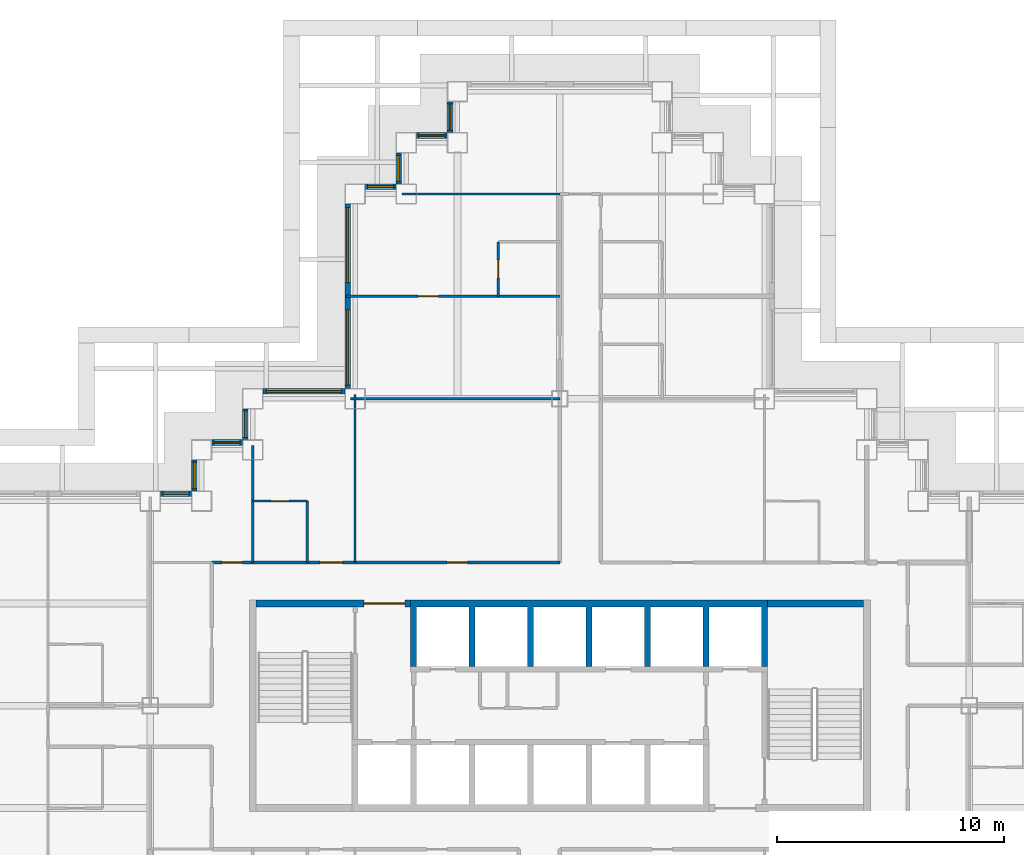
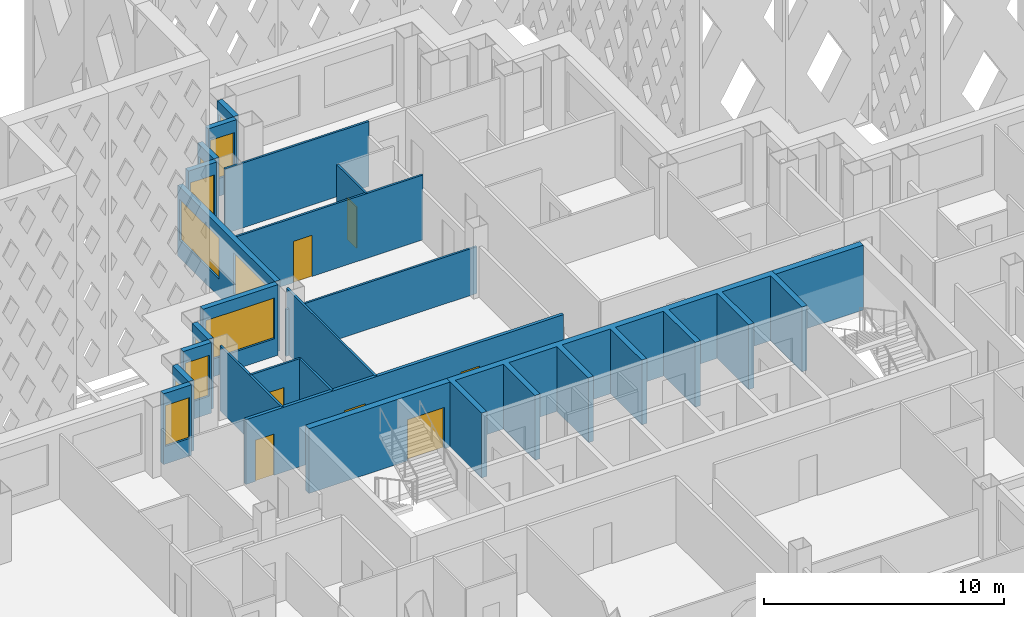
# One storey, part 7 of 21: 22 walls, 11 windows, 7 doors, 18 openings.
"""IFC4 building model written with IfcOpenShell, lengths in metres."""

from ifc_helpers import new_model, si_unit, direction, frame, frame_2d, origin, place, context, subcontext, project, spatial, polyline, rectangle, outline, extrude, material, layer, layer_set, type_object, element, fill, save


model = new_model("IFC4")

# Units and contexts
model_context = context("Model", 3, precision=1e-05, world=origin(), true_north=direction((0.0, 1.0)))
body_context = subcontext(model_context, "Body", "Model", "MODEL_VIEW")
ifc_project = project(units=[si_unit("LENGTHUNIT", "METRE"), si_unit("AREAUNIT", "SQUARE_METRE"), si_unit("VOLUMEUNIT", "CUBIC_METRE"), si_unit("PLANEANGLEUNIT", "RADIAN"), si_unit("MASSUNIT", "GRAM", prefix="KILO")], contexts=[model_context])

# Site, building, storey
site_placement = place(None, origin())
site = spatial("IfcSite", under=ifc_project, at=site_placement, CompositionType="ELEMENT")
building_placement = place(site_placement, origin())
building = spatial("IfcBuilding", under=site, at=building_placement, Name="Caravel Reach Hotel and Residences", CompositionType="ELEMENT")
storey_placement = place(building_placement, frame((0.0, 0.0, 115.199951171875)))
storey = spatial("IfcBuildingStorey", under=building, at=storey_placement, Name="L28", CompositionType="ELEMENT", Elevation=115.199951171875)

# Wall, opening, door
ifc_material_1 = material(Name="Gypsum board on steel stud", Category="steel")
ifc_layer_1 = layer(ifc_material_1, 0.10009765625)
ifc_layer_set_1 = layer_set([ifc_layer_1], Name="Bathroom pod wall 100 mm")
wall_type_1 = type_object("IfcWallType", Name="Bathroom pod wall 100 mm", PredefinedType="PARTITIONING", material=ifc_layer_set_1)
wall_1_placement = place(storey_placement, frame((18.0, 36.0, 0.0), z_axis=(0.0, 0.0, 1.0), x_axis=(1.0, 0.0, 0.0)))
wall_1 = element("IfcWall", 1, at=wall_1_placement, inside=storey, type_object=wall_type_1, Name="L28 wall w075", PredefinedType="PARTITIONING", context=body_context, shape_type="SweptSolid", body=[
    extrude(rectangle(XDim=2.39990234375, YDim=0.10009765625, at=frame_2d((1.199951171875, 0.0))), origin(), (0.0, 0.0, 1.0), 3.300048828125),
])
opening_1_placement = place(wall_1_placement, frame((0.800048828125, 0.0, 0.0)))
opening_1 = element("IfcOpeningElement", 2, at=opening_1_placement, cuts=wall_1, Name="Opening D28-040", PredefinedType="OPENING", context=body_context, shape_type="SweptSolid", body=[
    extrude(rectangle(XDim=0.800048828125, YDim=2.10009765625, at=frame_2d((0.39990234375, 1.050048828125))), frame((0.0, 0.06005859375, 0.0), z_axis=(0.0, -1.0, 0.0), x_axis=(1.0, 0.0, 0.0)), (0.0, 0.0, 1.0), 0.1201171875),
])
ifc_material_2 = material(Name="Timber and steel door leaf", Category="steel")
door_type_1 = type_object("IfcDoorType", Name="Bathroom door 800 x 2100", OperationType="SINGLE_SWING_LEFT", PredefinedType="DOOR", material=ifc_material_2)
door_1_placement = place(opening_1_placement, origin())
door_1 = element("IfcDoor", 3, at=door_1_placement, inside=storey, type_object=door_type_1, Name="door D28-040", OperationType="SINGLE_SWING_RIGHT", OverallHeight=2.10009765625, OverallWidth=0.800048828125, PredefinedType="DOOR", context=body_context, shape_type="SweptSolid", body=[
    extrude(rectangle(XDim=0.800048828125, YDim=2.10009765625, at=frame_2d((0.39990234375, 1.050048828125))), frame((0.0, 0.02490234375, 0.0), z_axis=(0.0, -1.0, 0.0), x_axis=(1.0, 0.0, 0.0)), (0.0, 0.0, 1.0), 0.050048828125),
])
fill(opening_1, door_1)

# Wall
wall_2_placement = place(storey_placement, frame((20.39990234375, 33.300048828125, 0.0), z_axis=(0.0, 0.0, 1.0), x_axis=(0.0, 1.0, 0.0)))
element("IfcWall", 4, at=wall_2_placement, inside=storey, type_object=wall_type_1, Name="L28 wall w083", PredefinedType="PARTITIONING", context=body_context, shape_type="SweptSolid", body=[
    extrude(rectangle(XDim=2.699951171875, YDim=0.10009765625, at=frame_2d((1.35009765625, 0.0))), origin(), (0.0, 0.0, 1.0), 3.300048828125),
])

# Wall, opening, door
wall_3_placement = place(storey_placement, frame((28.800048828125, 45.0, 0.0), z_axis=(0.0, 0.0, 1.0), x_axis=(0.0, 1.0, 0.0)))
wall_3 = element("IfcWall", 5, at=wall_3_placement, inside=storey, type_object=wall_type_1, Name="L28 wall w086", PredefinedType="PARTITIONING", context=body_context, shape_type="SweptSolid", body=[
    extrude(rectangle(XDim=2.39990234375, YDim=0.10009765625, at=frame_2d((1.199951171875, 0.0))), origin(), (0.0, 0.0, 1.0), 3.300048828125),
])
opening_2_placement = place(wall_3_placement, frame((0.800048828125, 0.0, 0.0)))
opening_2 = element("IfcOpeningElement", 6, at=opening_2_placement, cuts=wall_3, Name="Opening D28-026", PredefinedType="OPENING", context=body_context, shape_type="SweptSolid", body=[
    extrude(rectangle(XDim=0.800048828125, YDim=2.10009765625, at=frame_2d((0.39990234375, 1.050048828125))), frame((0.0, 0.06005859375, 0.0), z_axis=(0.0, -1.0, 0.0), x_axis=(1.0, 0.0, 0.0)), (0.0, 0.0, 1.0), 0.1201171875),
])
door_2_placement = place(opening_2_placement, origin())
door_2 = element("IfcDoor", 7, at=door_2_placement, inside=storey, type_object=door_type_1, Name="door D28-026", OperationType="SINGLE_SWING_RIGHT", OverallHeight=2.10009765625, OverallWidth=0.800048828125, PredefinedType="DOOR", context=body_context, shape_type="SweptSolid", body=[
    extrude(rectangle(XDim=0.800048828125, YDim=2.10009765625, at=frame_2d((0.39990234375, 1.050048828125))), frame((0.0, 0.02490234375, 0.0), z_axis=(0.0, -1.0, 0.0), x_axis=(1.0, 0.0, 0.0)), (0.0, 0.0, 1.0), 0.050048828125),
])
fill(opening_2, door_2)

ifc_material_3 = material(Name="Concrete C60", Category="concrete")
ifc_layer_2 = layer(ifc_material_3, 0.300048828125)
ifc_layer_set_2 = layer_set([ifc_layer_2], Name="Core wall 300 mm EI 120")
wall_type_2 = type_object("IfcWallType", Name="Core wall 300 mm EI 120", PredefinedType="SHEAR", material=ifc_layer_set_2)
wall_4_placement = place(storey_placement, frame((18.14990234375, 31.5, 0.0), z_axis=(0.0, 0.0, 1.0), x_axis=(1.0, 0.0, 0.0)))
wall_4 = element("IfcWall", 8, at=wall_4_placement, inside=storey, type_object=wall_type_2, Name="L28 core wall N1", PredefinedType="SHEAR", context=body_context, shape_type="SweptSolid", body=[
    extrude(rectangle(XDim=6.796630859375, YDim=0.300048828125, at=frame_2d((3.3984375, 0.0))), origin(), (0.0, 0.0, 1.0), 3.300048828125),
])
opening_3_placement = place(wall_4_placement, frame((4.735595703125, 0.0, 0.0)))
opening_3 = element("IfcOpeningElement", 9, at=opening_3_placement, cuts=wall_4, Name="Opening D28-014", PredefinedType="OPENING", context=body_context, shape_type="SweptSolid", body=[
    extrude(rectangle(XDim=1.800048828125, YDim=2.10009765625, at=frame_2d((0.89990234375, 1.050048828125))), frame((0.0, 0.159912109375, 0.0), z_axis=(0.0, -1.0, 0.0), x_axis=(1.0, 0.0, 0.0)), (0.0, 0.0, 1.0), 0.320068359375),
])
ifc_material_4 = material(Name="Steel fire door leaf", Category="steel")
door_type_2 = type_object("IfcDoorType", Name="Fire lobby door pair 1800 x 2100 EI 90", OperationType="DOUBLE_DOOR_SINGLE_SWING", PredefinedType="DOOR", material=ifc_material_4)
door_3_placement = place(opening_3_placement, origin())
door_3 = element("IfcDoor", 10, at=door_3_placement, inside=storey, type_object=door_type_2, Name="lobby N door pair to corridor", OperationType="DOUBLE_DOOR_SINGLE_SWING", OverallHeight=2.10009765625, OverallWidth=1.800048828125, PredefinedType="DOOR", context=body_context, shape_type="SweptSolid", body=[
    extrude(rectangle(XDim=1.800048828125, YDim=2.10009765625, at=frame_2d((0.89990234375, 1.050048828125))), frame((0.0, 0.02490234375, 0.0), z_axis=(0.0, -1.0, 0.0), x_axis=(1.0, 0.0, 0.0)), (0.0, 0.0, 1.0), 0.050048828125),
])
fill(opening_3, door_3)

# Wall
wall_5_placement = place(storey_placement, frame((40.625, 31.5, 0.0), z_axis=(0.0, 0.0, 1.0), x_axis=(1.0, 0.0, 0.0)))
element("IfcWall", 11, at=wall_5_placement, inside=storey, type_object=wall_type_2, Name="L28 core wall N2", PredefinedType="SHEAR", context=body_context, shape_type="SweptSolid", body=[
    extrude(rectangle(XDim=4.22509765625, YDim=0.300048828125, at=frame_2d((2.112548828125, 0.0))), origin(), (0.0, 0.0, 1.0), 3.300048828125),
])

# Wall, openings, doors
ifc_material_5 = material(Name="Gypsum board on steel stud, fire-rated", Category="steel")
ifc_layer_3 = layer(ifc_material_5, 0.14990234375)
ifc_layer_set_3 = layer_set([ifc_layer_3], Name="Corridor wall 150 mm EI 60")
wall_type_3 = type_object("IfcWallType", Name="Corridor wall 150 mm EI 60", PredefinedType="PARTITIONING", material=ifc_layer_set_3)
wall_6_placement = place(storey_placement, frame((16.199951171875, 33.300048828125, 0.0), z_axis=(0.0, 0.0, 1.0), x_axis=(1.0, 0.0, 0.0)))
wall_6 = element("IfcWall", 12, at=wall_6_placement, inside=storey, type_object=wall_type_3, Name="L28 wall w018", PredefinedType="PARTITIONING", context=body_context, shape_type="SweptSolid", body=[
    extrude(rectangle(XDim=15.300048828125, YDim=0.14990234375, at=frame_2d((7.64990234375, 0.0))), origin(), (0.0, 0.0, 1.0), 3.300048828125),
])
opening_4_placement = place(wall_6_placement, frame((4.75, 0.0, 0.0)))
opening_4 = element("IfcOpeningElement", 13, at=opening_4_placement, cuts=wall_6, Name="Opening D28-039", PredefinedType="OPENING", context=body_context, shape_type="SweptSolid", body=[
    extrude(rectangle(XDim=1.0, YDim=2.10009765625, at=frame_2d((0.5, 1.050048828125))), frame((0.0, 0.0849609375, 0.0), z_axis=(0.0, -1.0, 0.0), x_axis=(1.0, 0.0, 0.0)), (0.0, 0.0, 1.0), 0.169921875),
])
opening_5_placement = place(wall_6_placement, frame((0.449951171875, 0.0, 0.0)))
opening_5 = element("IfcOpeningElement", 14, at=opening_5_placement, cuts=wall_6, Name="Opening D28-041", PredefinedType="OPENING", context=body_context, shape_type="SweptSolid", body=[
    extrude(rectangle(XDim=0.89990234375, YDim=2.10009765625, at=frame_2d((0.449951171875, 1.050048828125))), frame((0.0, 0.0849609375, 0.0), z_axis=(0.0, -1.0, 0.0), x_axis=(1.0, 0.0, 0.0)), (0.0, 0.0, 1.0), 0.169921875),
])
opening_6_placement = place(wall_6_placement, frame((10.35009765625, 0.0, 0.0)))
opening_6 = element("IfcOpeningElement", 15, at=opening_6_placement, cuts=wall_6, Name="Opening D28-050", PredefinedType="OPENING", context=body_context, shape_type="SweptSolid", body=[
    extrude(rectangle(XDim=0.89990234375, YDim=2.10009765625, at=frame_2d((0.449951171875, 1.050048828125))), frame((0.0, 0.0849609375, 0.0), z_axis=(0.0, -1.0, 0.0), x_axis=(1.0, 0.0, 0.0)), (0.0, 0.0, 1.0), 0.169921875),
])
ifc_material_6 = material(Name="Timber and steel door leaf", Category="steel")
door_type_3 = type_object("IfcDoorType", Name="Door 900 x 2100 timber", OperationType="SINGLE_SWING_LEFT", PredefinedType="DOOR", material=ifc_material_6)
door_4_placement = place(opening_5_placement, origin())
door_4 = element("IfcDoor", 16, at=door_4_placement, inside=storey, type_object=door_type_3, Name="door D28-041", OperationType="SINGLE_SWING_RIGHT", OverallHeight=2.10009765625, OverallWidth=0.89990234375, PredefinedType="DOOR", context=body_context, shape_type="SweptSolid", body=[
    extrude(rectangle(XDim=0.89990234375, YDim=2.10009765625, at=frame_2d((0.449951171875, 1.050048828125))), frame((0.0, 0.02490234375, 0.0), z_axis=(0.0, -1.0, 0.0), x_axis=(1.0, 0.0, 0.0)), (0.0, 0.0, 1.0), 0.050048828125),
])
fill(opening_5, door_4)
door_5_placement = place(opening_6_placement, origin())
door_5 = element("IfcDoor", 17, at=door_5_placement, inside=storey, type_object=door_type_3, Name="door D28-050", OperationType="SINGLE_SWING_RIGHT", OverallHeight=2.10009765625, OverallWidth=0.89990234375, PredefinedType="DOOR", context=body_context, shape_type="SweptSolid", body=[
    extrude(rectangle(XDim=0.89990234375, YDim=2.10009765625, at=frame_2d((0.449951171875, 1.050048828125))), frame((0.0, 0.02490234375, 0.0), z_axis=(0.0, -1.0, 0.0), x_axis=(1.0, 0.0, 0.0)), (0.0, 0.0, 1.0), 0.050048828125),
])
fill(opening_6, door_5)
ifc_material_7 = material(Name="Steel fire door leaf", Category="steel")
door_type_4 = type_object("IfcDoorType", Name="Guest room door 1000 x 2100 EI 30", OperationType="SINGLE_SWING_LEFT", PredefinedType="DOOR", material=ifc_material_7)
door_6_placement = place(opening_4_placement, origin())
door_6 = element("IfcDoor", 18, at=door_6_placement, inside=storey, type_object=door_type_4, Name="door D28-039", OperationType="SINGLE_SWING_RIGHT", OverallHeight=2.10009765625, OverallWidth=1.0, PredefinedType="DOOR", context=body_context, shape_type="SweptSolid", body=[
    extrude(rectangle(XDim=1.0, YDim=2.10009765625, at=frame_2d((0.5, 1.050048828125))), frame((0.0, 0.02490234375, 0.0), z_axis=(0.0, -1.0, 0.0), x_axis=(1.0, 0.0, 0.0)), (0.0, 0.0, 1.0), 0.050048828125),
])
fill(opening_4, door_6)

# Wall, opening, window
ifc_material_8 = material(Name="Insulated rainscreen wall, aluminium cladding", Category="aluminium")
ifc_layer_4 = layer(ifc_material_8, 0.25)
ifc_layer_set_4 = layer_set([ifc_layer_4], Name="EW1 Tower rainscreen wall")
wall_type_4 = type_object("IfcWallType", Name="EW1 Tower rainscreen wall", PredefinedType="SOLIDWALL", material=ifc_layer_set_4)
wall_7_placement = place(storey_placement, frame((26.675048828125, 53.550048828125, 0.0), z_axis=(0.0, 0.0, 1.0), x_axis=(0.0, -1.0, 0.0)))
wall_7 = element("IfcWall", 19, at=wall_7_placement, inside=storey, type_object=wall_type_4, Name="External wall L28 W36.1", PredefinedType="SOLIDWALL", context=body_context, shape_type="SweptSolid", body=[
    extrude(rectangle(XDim=1.35009765625, YDim=0.25, at=frame_2d((0.675048828125, 0.0))), origin(), (0.0, 0.0, 1.0), 3.60009765625),
])
opening_7_placement = place(wall_7_placement, frame((0.10009765625, 0.0, 0.89990234375)))
opening_7 = element("IfcOpeningElement", 20, at=opening_7_placement, cuts=wall_7, Name="Opening WN8", PredefinedType="OPENING", context=body_context, shape_type="SweptSolid", body=[
    extrude(rectangle(XDim=1.14990234375, YDim=2.080078125, at=frame_2d((0.574951171875, 1.0400390625))), frame((0.0, 0.135009765625, 0.0), z_axis=(0.0, -1.0, 0.0), x_axis=(1.0, 0.0, 0.0)), (0.0, 0.0, 1.0), 0.27001953125),
])
ifc_material_9 = material(Name="Dark low-e glazing in black aluminium frame", Category="aluminium")
window_type_1 = type_object("IfcWindowType", Name="Hotel suite corner window 1150 x 2080", PartitioningType="SINGLE_PANEL", PredefinedType="WINDOW", material=ifc_material_9)
window_1_placement = place(opening_7_placement, origin())
window_1 = element("IfcWindow", 21, at=window_1_placement, inside=storey, type_object=window_type_1, Name="Window L28 W36.1.1", OverallHeight=2.080078125, OverallWidth=1.14990234375, PartitioningType="SINGLE_PANEL", PredefinedType="WINDOW", context=body_context, shape_type="SweptSolid", body=[
    extrude(rectangle(XDim=1.14990234375, YDim=2.080078125, at=frame_2d((0.574951171875, 1.0400390625))), frame((0.0, 0.030029296875, 0.0), z_axis=(0.0, -1.0, 0.0), x_axis=(1.0, 0.0, 0.0)), (0.0, 0.0, 1.0), 0.06005859375),
])
fill(opening_7, window_1)

wall_8_placement = place(storey_placement, frame((26.550048828125, 52.074951171875, 0.0), z_axis=(0.0, 0.0, 1.0), x_axis=(-1.0, 0.0, 0.0)))
wall_8 = element("IfcWall", 22, at=wall_8_placement, inside=storey, type_object=wall_type_4, Name="External wall L28 N37.1", PredefinedType="SOLIDWALL", context=body_context, shape_type="SweptSolid", body=[
    extrude(rectangle(XDim=1.35009765625, YDim=0.25, at=frame_2d((0.675048828125, 0.0))), origin(), (0.0, 0.0, 1.0), 3.60009765625),
])
opening_8_placement = place(wall_8_placement, frame((0.10009765625, 0.0, 0.89990234375)))
opening_8 = element("IfcOpeningElement", 23, at=opening_8_placement, cuts=wall_8, Name="Opening WN8", PredefinedType="OPENING", context=body_context, shape_type="SweptSolid", body=[
    extrude(rectangle(XDim=1.14990234375, YDim=2.080078125, at=frame_2d((0.574951171875, 1.0400390625))), frame((0.0, 0.135009765625, 0.0), z_axis=(0.0, -1.0, 0.0), x_axis=(1.0, 0.0, 0.0)), (0.0, 0.0, 1.0), 0.27001953125),
])
window_2_placement = place(opening_8_placement, origin())
window_2 = element("IfcWindow", 24, at=window_2_placement, inside=storey, type_object=window_type_1, Name="Window L28 N37.1.1", OverallHeight=2.080078125, OverallWidth=1.14990234375, PartitioningType="SINGLE_PANEL", PredefinedType="WINDOW", context=body_context, shape_type="SweptSolid", body=[
    extrude(rectangle(XDim=1.14990234375, YDim=2.080078125, at=frame_2d((0.574951171875, 1.0400390625))), frame((0.0, 0.030029296875, 0.0), z_axis=(0.0, -1.0, 0.0), x_axis=(1.0, 0.0, 0.0)), (0.0, 0.0, 1.0), 0.06005859375),
])
fill(opening_8, window_2)

wall_9_placement = place(storey_placement, frame((24.425048828125, 51.300048828125, 0.0), z_axis=(0.0, 0.0, 1.0), x_axis=(0.0, -1.0, 0.0)))
wall_9 = element("IfcWall", 25, at=wall_9_placement, inside=storey, type_object=wall_type_4, Name="External wall L28 W38.1", PredefinedType="SOLIDWALL", context=body_context, shape_type="SweptSolid", body=[
    extrude(rectangle(XDim=1.35009765625, YDim=0.25, at=frame_2d((0.675048828125, 0.0))), origin(), (0.0, 0.0, 1.0), 3.60009765625),
])
opening_9_placement = place(wall_9_placement, frame((0.10009765625, 0.0, 0.89990234375)))
opening_9 = element("IfcOpeningElement", 26, at=opening_9_placement, cuts=wall_9, Name="Opening WN8", PredefinedType="OPENING", context=body_context, shape_type="SweptSolid", body=[
    extrude(rectangle(XDim=1.14990234375, YDim=2.080078125, at=frame_2d((0.574951171875, 1.0400390625))), frame((0.0, 0.135009765625, 0.0), z_axis=(0.0, -1.0, 0.0), x_axis=(1.0, 0.0, 0.0)), (0.0, 0.0, 1.0), 0.27001953125),
])
window_3_placement = place(opening_9_placement, origin())
window_3 = element("IfcWindow", 27, at=window_3_placement, inside=storey, type_object=window_type_1, Name="Window L28 W38.1.1", OverallHeight=2.080078125, OverallWidth=1.14990234375, PartitioningType="SINGLE_PANEL", PredefinedType="WINDOW", context=body_context, shape_type="SweptSolid", body=[
    extrude(rectangle(XDim=1.14990234375, YDim=2.080078125, at=frame_2d((0.574951171875, 1.0400390625))), frame((0.0, 0.030029296875, 0.0), z_axis=(0.0, -1.0, 0.0), x_axis=(1.0, 0.0, 0.0)), (0.0, 0.0, 1.0), 0.06005859375),
])
fill(opening_9, window_3)

wall_10_placement = place(storey_placement, frame((24.300048828125, 49.824951171875, 0.0), z_axis=(0.0, 0.0, 1.0), x_axis=(-1.0, 0.0, 0.0)))
wall_10 = element("IfcWall", 28, at=wall_10_placement, inside=storey, type_object=wall_type_4, Name="External wall L28 N39.1", PredefinedType="SOLIDWALL", context=body_context, shape_type="SweptSolid", body=[
    extrude(rectangle(XDim=1.35009765625, YDim=0.25, at=frame_2d((0.675048828125, 0.0))), origin(), (0.0, 0.0, 1.0), 3.60009765625),
])
opening_10_placement = place(wall_10_placement, frame((0.10009765625, 0.0, 0.89990234375)))
opening_10 = element("IfcOpeningElement", 29, at=opening_10_placement, cuts=wall_10, Name="Opening WN8", PredefinedType="OPENING", context=body_context, shape_type="SweptSolid", body=[
    extrude(rectangle(XDim=1.14990234375, YDim=2.080078125, at=frame_2d((0.574951171875, 1.0400390625))), frame((0.0, 0.135009765625, 0.0), z_axis=(0.0, -1.0, 0.0), x_axis=(1.0, 0.0, 0.0)), (0.0, 0.0, 1.0), 0.27001953125),
])
window_4_placement = place(opening_10_placement, origin())
window_4 = element("IfcWindow", 30, at=window_4_placement, inside=storey, type_object=window_type_1, Name="Window L28 N39.1.1", OverallHeight=2.080078125, OverallWidth=1.14990234375, PartitioningType="SINGLE_PANEL", PredefinedType="WINDOW", context=body_context, shape_type="SweptSolid", body=[
    extrude(rectangle(XDim=1.14990234375, YDim=2.080078125, at=frame_2d((0.574951171875, 1.0400390625))), frame((0.0, 0.030029296875, 0.0), z_axis=(0.0, -1.0, 0.0), x_axis=(1.0, 0.0, 0.0)), (0.0, 0.0, 1.0), 0.06005859375),
])
fill(opening_10, window_4)

# Wall, openings, windows
wall_11_placement = place(storey_placement, frame((22.175048828125, 49.050048828125, 0.0), z_axis=(0.0, 0.0, 1.0), x_axis=(0.0, -1.0, 0.0)))
wall_11 = element("IfcWall", 31, at=wall_11_placement, inside=storey, type_object=wall_type_4, Name="External wall L28 W40.1", PredefinedType="SOLIDWALL", context=body_context, shape_type="SweptSolid", body=[
    extrude(rectangle(XDim=8.10009765625, YDim=0.25, at=frame_2d((4.050048828125, 0.0))), origin(), (0.0, 0.0, 1.0), 3.60009765625),
])
opening_11_placement = place(wall_11_placement, frame((0.14990234375, 0.0, 0.89990234375)))
opening_11 = element("IfcOpeningElement", 32, at=opening_11_placement, cuts=wall_11, Name="Opening WN4", PredefinedType="OPENING", context=body_context, shape_type="SweptSolid", body=[
    extrude(rectangle(XDim=3.300048828125, YDim=2.080078125, at=frame_2d((1.64990234375, 1.0400390625))), frame((0.0, 0.135009765625, 0.0), z_axis=(0.0, -1.0, 0.0), x_axis=(1.0, 0.0, 0.0)), (0.0, 0.0, 1.0), 0.27001953125),
])
opening_12_placement = place(wall_11_placement, frame((4.64990234375, 0.0, 0.89990234375)))
opening_12 = element("IfcOpeningElement", 33, at=opening_12_placement, cuts=wall_11, Name="Opening WN4", PredefinedType="OPENING", context=body_context, shape_type="SweptSolid", body=[
    extrude(rectangle(XDim=3.300048828125, YDim=2.080078125, at=frame_2d((1.64990234375, 1.0400390625))), frame((0.0, 0.135009765625, 0.0), z_axis=(0.0, -1.0, 0.0), x_axis=(1.0, 0.0, 0.0)), (0.0, 0.0, 1.0), 0.27001953125),
])
ifc_material_10 = material(Name="Dark low-e glazing in black aluminium frame", Category="aluminium")
window_type_2 = type_object("IfcWindowType", Name="Hotel guest room window 3300 x 2080", PartitioningType="SINGLE_PANEL", PredefinedType="WINDOW", material=ifc_material_10)
window_5_placement = place(opening_11_placement, origin())
window_5 = element("IfcWindow", 34, at=window_5_placement, inside=storey, type_object=window_type_2, Name="Window L28 W40.1.1", OverallHeight=2.080078125, OverallWidth=3.300048828125, PartitioningType="SINGLE_PANEL", PredefinedType="WINDOW", context=body_context, shape_type="SweptSolid", body=[
    extrude(rectangle(XDim=3.300048828125, YDim=2.080078125, at=frame_2d((1.64990234375, 1.0400390625))), frame((0.0, 0.030029296875, 0.0), z_axis=(0.0, -1.0, 0.0), x_axis=(1.0, 0.0, 0.0)), (0.0, 0.0, 1.0), 0.06005859375),
])
fill(opening_11, window_5)
window_6_placement = place(opening_12_placement, origin())
window_6 = element("IfcWindow", 35, at=window_6_placement, inside=storey, type_object=window_type_2, Name="Window L28 W40.1.2", OverallHeight=2.080078125, OverallWidth=3.300048828125, PartitioningType="SINGLE_PANEL", PredefinedType="WINDOW", context=body_context, shape_type="SweptSolid", body=[
    extrude(rectangle(XDim=3.300048828125, YDim=2.080078125, at=frame_2d((1.64990234375, 1.0400390625))), frame((0.0, 0.030029296875, 0.0), z_axis=(0.0, -1.0, 0.0), x_axis=(1.0, 0.0, 0.0)), (0.0, 0.0, 1.0), 0.06005859375),
])
fill(opening_12, window_6)

# Wall, opening, window
wall_12_placement = place(storey_placement, frame((22.050048828125, 40.824951171875, 0.0), z_axis=(0.0, 0.0, 1.0), x_axis=(-1.0, 0.0, 0.0)))
wall_12 = element("IfcWall", 36, at=wall_12_placement, inside=storey, type_object=wall_type_4, Name="External wall L28 N41.1", PredefinedType="SOLIDWALL", context=body_context, shape_type="SweptSolid", body=[
    extrude(rectangle(XDim=3.60009765625, YDim=0.25, at=frame_2d((1.800048828125, 0.0))), origin(), (0.0, 0.0, 1.0), 3.60009765625),
])
opening_13_placement = place(wall_12_placement, frame((0.14990234375, 0.0, 0.89990234375)))
opening_13 = element("IfcOpeningElement", 37, at=opening_13_placement, cuts=wall_12, Name="Opening WN4", PredefinedType="OPENING", context=body_context, shape_type="SweptSolid", body=[
    extrude(rectangle(XDim=3.300048828125, YDim=2.080078125, at=frame_2d((1.64990234375, 1.0400390625))), frame((0.0, 0.135009765625, 0.0), z_axis=(0.0, -1.0, 0.0), x_axis=(1.0, 0.0, 0.0)), (0.0, 0.0, 1.0), 0.27001953125),
])
window_7_placement = place(opening_13_placement, origin())
window_7 = element("IfcWindow", 38, at=window_7_placement, inside=storey, type_object=window_type_2, Name="Window L28 N41.1.1", OverallHeight=2.080078125, OverallWidth=3.300048828125, PartitioningType="SINGLE_PANEL", PredefinedType="WINDOW", context=body_context, shape_type="SweptSolid", body=[
    extrude(rectangle(XDim=3.300048828125, YDim=2.080078125, at=frame_2d((1.64990234375, 1.0400390625))), frame((0.0, 0.030029296875, 0.0), z_axis=(0.0, -1.0, 0.0), x_axis=(1.0, 0.0, 0.0)), (0.0, 0.0, 1.0), 0.06005859375),
])
fill(opening_13, window_7)

wall_13_placement = place(storey_placement, frame((17.675048828125, 40.050048828125, 0.0), z_axis=(0.0, 0.0, 1.0), x_axis=(0.0, -1.0, 0.0)))
wall_13 = element("IfcWall", 39, at=wall_13_placement, inside=storey, type_object=wall_type_4, Name="External wall L28 W42.1", PredefinedType="SOLIDWALL", context=body_context, shape_type="SweptSolid", body=[
    extrude(rectangle(XDim=1.35009765625, YDim=0.25, at=frame_2d((0.675048828125, 0.0))), origin(), (0.0, 0.0, 1.0), 3.60009765625),
])
opening_14_placement = place(wall_13_placement, frame((0.10009765625, 0.0, 0.89990234375)))
opening_14 = element("IfcOpeningElement", 40, at=opening_14_placement, cuts=wall_13, Name="Opening WN8", PredefinedType="OPENING", context=body_context, shape_type="SweptSolid", body=[
    extrude(rectangle(XDim=1.14990234375, YDim=2.080078125, at=frame_2d((0.574951171875, 1.0400390625))), frame((0.0, 0.135009765625, 0.0), z_axis=(0.0, -1.0, 0.0), x_axis=(1.0, 0.0, 0.0)), (0.0, 0.0, 1.0), 0.27001953125),
])
window_8_placement = place(opening_14_placement, origin())
window_8 = element("IfcWindow", 41, at=window_8_placement, inside=storey, type_object=window_type_1, Name="Window L28 W42.1.1", OverallHeight=2.080078125, OverallWidth=1.14990234375, PartitioningType="SINGLE_PANEL", PredefinedType="WINDOW", context=body_context, shape_type="SweptSolid", body=[
    extrude(rectangle(XDim=1.14990234375, YDim=2.080078125, at=frame_2d((0.574951171875, 1.0400390625))), frame((0.0, 0.030029296875, 0.0), z_axis=(0.0, -1.0, 0.0), x_axis=(1.0, 0.0, 0.0)), (0.0, 0.0, 1.0), 0.06005859375),
])
fill(opening_14, window_8)

wall_14_placement = place(storey_placement, frame((17.550048828125, 38.574951171875, 0.0), z_axis=(0.0, 0.0, 1.0), x_axis=(-1.0, 0.0, 0.0)))
wall_14 = element("IfcWall", 42, at=wall_14_placement, inside=storey, type_object=wall_type_4, Name="External wall L28 N43.1", PredefinedType="SOLIDWALL", context=body_context, shape_type="SweptSolid", body=[
    extrude(rectangle(XDim=1.35009765625, YDim=0.25, at=frame_2d((0.675048828125, 0.0))), origin(), (0.0, 0.0, 1.0), 3.60009765625),
])
opening_15_placement = place(wall_14_placement, frame((0.10009765625, 0.0, 0.89990234375)))
opening_15 = element("IfcOpeningElement", 43, at=opening_15_placement, cuts=wall_14, Name="Opening WN8", PredefinedType="OPENING", context=body_context, shape_type="SweptSolid", body=[
    extrude(rectangle(XDim=1.14990234375, YDim=2.080078125, at=frame_2d((0.574951171875, 1.0400390625))), frame((0.0, 0.135009765625, 0.0), z_axis=(0.0, -1.0, 0.0), x_axis=(1.0, 0.0, 0.0)), (0.0, 0.0, 1.0), 0.27001953125),
])
window_9_placement = place(opening_15_placement, origin())
window_9 = element("IfcWindow", 44, at=window_9_placement, inside=storey, type_object=window_type_1, Name="Window L28 N43.1.1", OverallHeight=2.080078125, OverallWidth=1.14990234375, PartitioningType="SINGLE_PANEL", PredefinedType="WINDOW", context=body_context, shape_type="SweptSolid", body=[
    extrude(rectangle(XDim=1.14990234375, YDim=2.080078125, at=frame_2d((0.574951171875, 1.0400390625))), frame((0.0, 0.030029296875, 0.0), z_axis=(0.0, -1.0, 0.0), x_axis=(1.0, 0.0, 0.0)), (0.0, 0.0, 1.0), 0.06005859375),
])
fill(opening_15, window_9)

wall_15_placement = place(storey_placement, frame((15.425048828125, 37.800048828125, 0.0), z_axis=(0.0, 0.0, 1.0), x_axis=(0.0, -1.0, 0.0)))
wall_15 = element("IfcWall", 45, at=wall_15_placement, inside=storey, type_object=wall_type_4, Name="External wall L28 W44.1", PredefinedType="SOLIDWALL", context=body_context, shape_type="SweptSolid", body=[
    extrude(rectangle(XDim=1.35009765625, YDim=0.25, at=frame_2d((0.675048828125, 0.0))), origin(), (0.0, 0.0, 1.0), 3.60009765625),
])
opening_16_placement = place(wall_15_placement, frame((0.10009765625, 0.0, 0.89990234375)))
opening_16 = element("IfcOpeningElement", 46, at=opening_16_placement, cuts=wall_15, Name="Opening WN8", PredefinedType="OPENING", context=body_context, shape_type="SweptSolid", body=[
    extrude(rectangle(XDim=1.14990234375, YDim=2.080078125, at=frame_2d((0.574951171875, 1.0400390625))), frame((0.0, 0.135009765625, 0.0), z_axis=(0.0, -1.0, 0.0), x_axis=(1.0, 0.0, 0.0)), (0.0, 0.0, 1.0), 0.27001953125),
])
window_10_placement = place(opening_16_placement, origin())
window_10 = element("IfcWindow", 47, at=window_10_placement, inside=storey, type_object=window_type_1, Name="Window L28 W44.1.1", OverallHeight=2.080078125, OverallWidth=1.14990234375, PartitioningType="SINGLE_PANEL", PredefinedType="WINDOW", context=body_context, shape_type="SweptSolid", body=[
    extrude(rectangle(XDim=1.14990234375, YDim=2.080078125, at=frame_2d((0.574951171875, 1.0400390625))), frame((0.0, 0.030029296875, 0.0), z_axis=(0.0, -1.0, 0.0), x_axis=(1.0, 0.0, 0.0)), (0.0, 0.0, 1.0), 0.06005859375),
])
fill(opening_16, window_10)

wall_16_placement = place(storey_placement, frame((15.300048828125, 36.324951171875, 0.0), z_axis=(0.0, 0.0, 1.0), x_axis=(-1.0, 0.0, 0.0)))
wall_16 = element("IfcWall", 48, at=wall_16_placement, inside=storey, type_object=wall_type_4, Name="External wall L28 N45.1", PredefinedType="SOLIDWALL", context=body_context, shape_type="SweptSolid", body=[
    extrude(rectangle(XDim=1.35009765625, YDim=0.25, at=frame_2d((0.675048828125, 0.0))), origin(), (0.0, 0.0, 1.0), 3.60009765625),
])
opening_17_placement = place(wall_16_placement, frame((0.10009765625, 0.0, 0.89990234375)))
opening_17 = element("IfcOpeningElement", 49, at=opening_17_placement, cuts=wall_16, Name="Opening WN8", PredefinedType="OPENING", context=body_context, shape_type="SweptSolid", body=[
    extrude(rectangle(XDim=1.14990234375, YDim=2.080078125, at=frame_2d((0.574951171875, 1.0400390625))), frame((0.0, 0.135009765625, 0.0), z_axis=(0.0, -1.0, 0.0), x_axis=(1.0, 0.0, 0.0)), (0.0, 0.0, 1.0), 0.27001953125),
])
window_11_placement = place(opening_17_placement, origin())
window_11 = element("IfcWindow", 50, at=window_11_placement, inside=storey, type_object=window_type_1, Name="Window L28 N45.1.1", OverallHeight=2.080078125, OverallWidth=1.14990234375, PartitioningType="SINGLE_PANEL", PredefinedType="WINDOW", context=body_context, shape_type="SweptSolid", body=[
    extrude(rectangle(XDim=1.14990234375, YDim=2.080078125, at=frame_2d((0.574951171875, 1.0400390625))), frame((0.0, 0.030029296875, 0.0), z_axis=(0.0, -1.0, 0.0), x_axis=(1.0, 0.0, 0.0)), (0.0, 0.0, 1.0), 0.06005859375),
])
fill(opening_17, window_11)

# Wall
ifc_material_11 = material(Name="Gypsum board on steel stud", Category="steel")
ifc_layer_5 = layer(ifc_material_11, 0.10009765625)
ifc_layer_set_5 = layer_set([ifc_layer_5], Name="Partition 100 mm")
wall_type_5 = type_object("IfcWallType", Name="Partition 100 mm", PredefinedType="PARTITIONING", material=ifc_layer_set_5)
wall_17_placement = place(storey_placement, frame((22.31005859375, 40.5, 0.0), z_axis=(0.0, 0.0, 1.0), x_axis=(1.0, 0.0, 0.0)))
element("IfcWall", 51, at=wall_17_placement, inside=storey, type_object=wall_type_5, Name="L28 wall w043", PredefinedType="PARTITIONING", context=body_context, shape_type="SweptSolid", body=[
    extrude(rectangle(XDim=9.18994140625, YDim=0.10009765625, at=frame_2d((4.594970703125, 0.0))), origin(), (0.0, 0.0, 1.0), 2.380126953125),
])

# Wall, opening, door
wall_18_placement = place(storey_placement, frame((22.110107421875, 45.0, 0.0), z_axis=(0.0, 0.0, 1.0), x_axis=(1.0, 0.0, 0.0)))
wall_18 = element("IfcWall", 52, at=wall_18_placement, inside=storey, type_object=wall_type_5, Name="L28 wall w044", PredefinedType="PARTITIONING", context=body_context, shape_type="SweptSolid", body=[
    extrude(rectangle(XDim=9.389892578125, YDim=0.10009765625, at=frame_2d((4.69482421875, 0.0))), origin(), (0.0, 0.0, 1.0), 3.300048828125),
])
opening_18_placement = place(wall_18_placement, frame((3.14990234375, 0.0, 0.0)))
opening_18 = element("IfcOpeningElement", 53, at=opening_18_placement, cuts=wall_18, Name="Opening D28-025", PredefinedType="OPENING", context=body_context, shape_type="SweptSolid", body=[
    extrude(rectangle(XDim=0.89990234375, YDim=2.10009765625, at=frame_2d((0.449951171875, 1.050048828125))), frame((0.0, 0.06005859375, 0.0), z_axis=(0.0, -1.0, 0.0), x_axis=(1.0, 0.0, 0.0)), (0.0, 0.0, 1.0), 0.1201171875),
])
door_7_placement = place(opening_18_placement, origin())
door_7 = element("IfcDoor", 54, at=door_7_placement, inside=storey, type_object=door_type_3, Name="door D28-025", OperationType="SINGLE_SWING_LEFT", OverallHeight=2.10009765625, OverallWidth=0.89990234375, PredefinedType="DOOR", context=body_context, shape_type="SweptSolid", body=[
    extrude(rectangle(XDim=0.89990234375, YDim=2.10009765625, at=frame_2d((0.449951171875, 1.050048828125))), frame((0.0, 0.02490234375, 0.0), z_axis=(0.0, -1.0, 0.0), x_axis=(1.0, 0.0, 0.0)), (0.0, 0.0, 1.0), 0.050048828125),
])
fill(opening_18, door_7)

# Walls
wall_19_placement = place(storey_placement, frame((24.56005859375, 49.5, 0.0), z_axis=(0.0, 0.0, 1.0), x_axis=(1.0, 0.0, 0.0)))
element("IfcWall", 55, at=wall_19_placement, inside=storey, type_object=wall_type_5, Name="L28 wall w046", PredefinedType="PARTITIONING", context=body_context, shape_type="SweptSolid", body=[
    extrude(rectangle(XDim=6.93994140625, YDim=0.10009765625, at=frame_2d((3.469970703125, 0.0))), origin(), (0.0, 0.0, 1.0), 3.300048828125),
])
wall_20_placement = place(storey_placement, frame((18.0, 33.300048828125, 0.0), z_axis=(0.0, 0.0, 1.0), x_axis=(0.0, 1.0, 0.0)))
element("IfcWall", 56, at=wall_20_placement, inside=storey, type_object=wall_type_5, Name="L28 wall w052", PredefinedType="PARTITIONING", context=body_context, shape_type="SweptSolid", body=[
    extrude(rectangle(XDim=5.139892578125, YDim=0.10009765625, at=frame_2d((2.56982421875, 0.0))), origin(), (0.0, 0.0, 1.0), 3.300048828125),
])
wall_21_placement = place(storey_placement, frame((22.5, 33.300048828125, 0.0), z_axis=(0.0, 0.0, 1.0), x_axis=(0.0, 1.0, 0.0)))
element("IfcWall", 57, at=wall_21_placement, inside=storey, type_object=wall_type_5, Name="L28 wall w053", PredefinedType="PARTITIONING", context=body_context, shape_type="SweptSolid", body=[
    extrude(rectangle(XDim=7.389892578125, YDim=0.10009765625, at=frame_2d((3.69482421875, 0.0))), origin(), (0.0, 0.0, 1.0), 3.300048828125),
])
ifc_material_12 = material(Name="Concrete C60", Category="concrete")
ifc_layer_6 = layer(ifc_material_12, 0.25)
ifc_layer_set_6 = layer_set([ifc_layer_6], Name="Shaft wall 250 mm EI 120")
wall_type_6 = type_object("IfcWallType", Name="Shaft wall 250 mm EI 120", PredefinedType="SHEAR", material=ifc_layer_set_6)
wall_22_placement = place(storey_placement, origin())
element("IfcWall", 58, at=wall_22_placement, inside=storey, type_object=wall_type_6, Name="L28 lift shaft wall N1", PredefinedType="SHEAR", context=body_context, shape_type="SweptSolid", body=[
    extrude(outline(polyline([(24.946533203125, 28.72509765625), (25.196533203125, 28.72509765625), (25.196533203125, 31.35009765625), (27.517822265625, 31.35009765625), (27.517822265625, 28.72509765625), (27.767822265625, 28.72509765625), (27.767822265625, 31.35009765625), (30.08935546875, 31.35009765625), (30.08935546875, 28.72509765625), (30.33935546875, 28.72509765625), (30.33935546875, 31.35009765625), (32.66064453125, 31.35009765625), (32.66064453125, 28.72509765625), (32.91064453125, 28.72509765625), (32.91064453125, 31.35009765625), (35.232177734375, 31.35009765625), (35.232177734375, 28.72509765625), (35.482177734375, 28.72509765625), (35.482177734375, 31.35009765625), (37.803466796875, 31.35009765625), (37.803466796875, 28.72509765625), (38.053466796875, 28.72509765625), (38.053466796875, 31.35009765625), (40.375, 31.35009765625), (40.375, 28.72509765625), (40.625, 28.72509765625), (40.625, 31.64990234375), (24.946533203125, 31.64990234375), (24.946533203125, 28.72509765625)])), origin(), (0.0, 0.0, 1.0), 3.300048828125),
])

save(model, "model.ifc")
